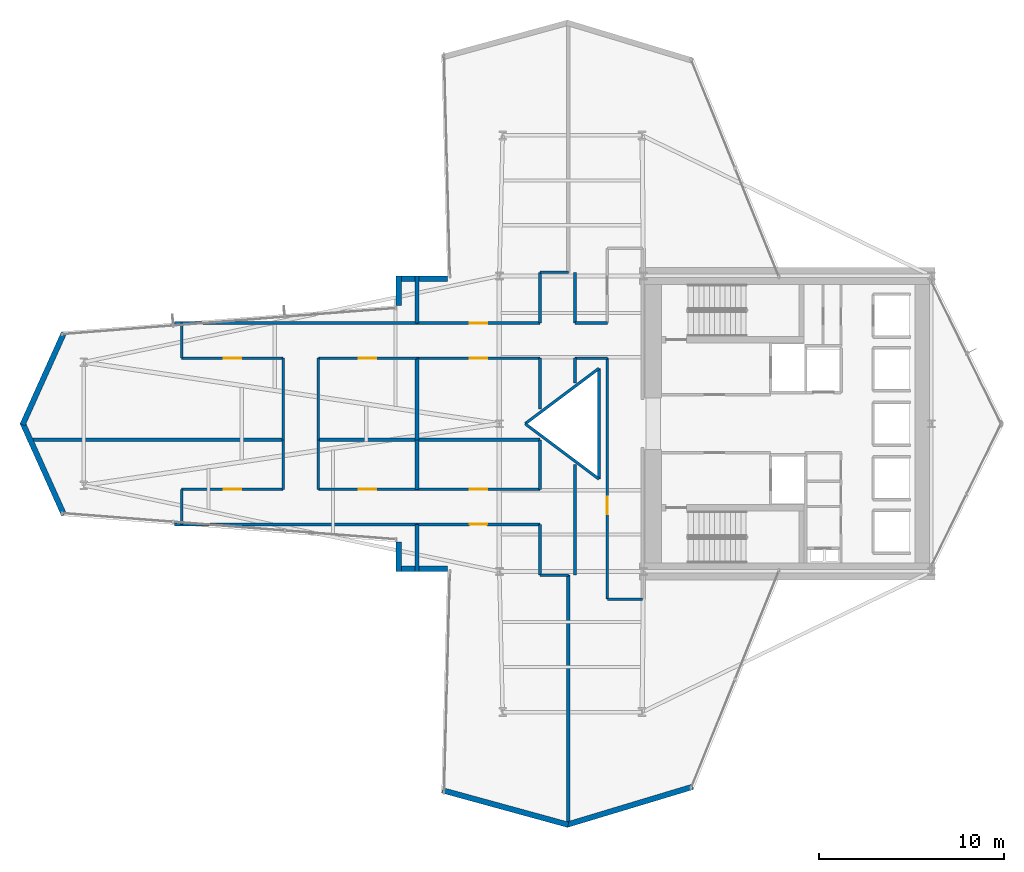
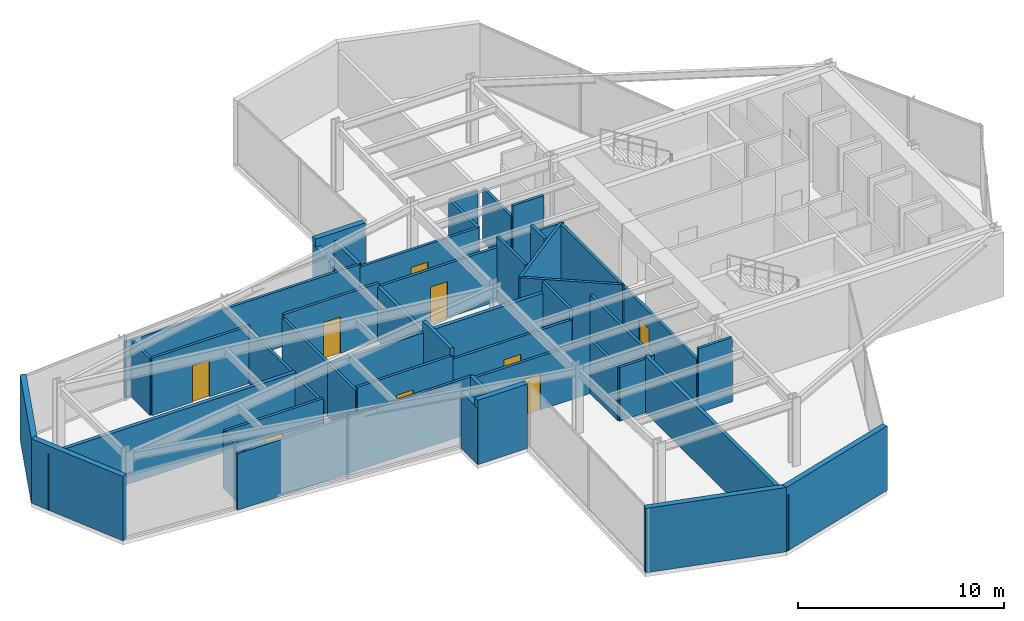
# One storey, part 27 of 30: 48 walls, 9 doors, 9 openings.
"""IFC4 building model written with IfcOpenShell, lengths in metres."""

from ifc_helpers import new_model, si_unit, direction, frame, frame_2d, origin, place, context, subcontext, project, spatial, rectangle, extrude, material, layer, layer_set, type_object, element, fill, save


model = new_model("IFC4")

# Units and contexts
model_context = context("Model", 3, precision=1e-05, world=origin(), true_north=direction((0.0, 1.0)))
body_context = subcontext(model_context, "Body", "Model", "MODEL_VIEW")
ifc_project = project(units=[si_unit("LENGTHUNIT", "METRE"), si_unit("AREAUNIT", "SQUARE_METRE"), si_unit("VOLUMEUNIT", "CUBIC_METRE"), si_unit("PLANEANGLEUNIT", "RADIAN"), si_unit("MASSUNIT", "GRAM", prefix="KILO")], contexts=[model_context])

# Site, building, storey
site_placement = place(None, origin())
site = spatial("IfcSite", under=ifc_project, at=site_placement, CompositionType="ELEMENT")
building_placement = place(site_placement, origin())
building = spatial("IfcBuilding", under=site, at=building_placement, Name="Veymaron Broadcast Tower", CompositionType="ELEMENT")
storey_placement = place(building_placement, frame((0.0, 0.0, 66.14990234375)))
storey = spatial("IfcBuildingStorey", under=building, at=storey_placement, Name="L14", CompositionType="ELEMENT", Elevation=66.14990234375)

# Walls
ifc_material_1 = material(Name="Concrete C40/50", Category="concrete")
ifc_layer_1 = layer(ifc_material_1, 0.199951171875)
ifc_layer_set_1 = layer_set([ifc_layer_1], Name="Concrete C40/50")
wall_type_1 = type_object("IfcWallType", Name="WALL-BLK-200", PredefinedType="SOLIDWALL", material=ifc_layer_set_1)
wall_1_placement = place(storey_placement, frame((34.94091796875, 2.1640625, 0.0), z_axis=(0.0, 0.0, 1.0), x_axis=(0.0, 1.0, 0.0)))
element("IfcWall", 1, at=wall_1_placement, inside=storey, type_object=wall_type_1, Name="L14 partition IW-L14-P34", PredefinedType="SOLIDWALL", context=body_context, shape_type="SweptSolid", body=[
    extrude(rectangle(XDim=13.635986328125, YDim=0.199951171875, at=frame_2d((6.81787109375, 0.0))), origin(), (0.0, 0.0, 1.0), 3.338134765625),
])
wall_2_placement = place(storey_placement, frame((26.738037109375, 16.0, 0.0), z_axis=(0.0, 0.0, 1.0), x_axis=(0.0, 1.0, 0.0)))
element("IfcWall", 2, at=wall_2_placement, inside=storey, type_object=wall_type_1, Name="L14 partition IW-L14-P35", PredefinedType="SOLIDWALL", context=body_context, shape_type="SweptSolid", body=[
    extrude(rectangle(XDim=2.550048828125, YDim=0.199951171875, at=frame_2d((1.27490234375, 0.0))), origin(), (0.0, 0.0, 1.0), 3.338134765625),
])
wall_3_placement = place(storey_placement, frame((5.649658203125, 23.1259765625, 0.0), z_axis=(0.0, 0.0, 1.0), x_axis=(1.0, 0.0, 0.0)))
element("IfcWall", 3, at=wall_3_placement, inside=storey, type_object=wall_type_1, Name="L14 partition IW-L14-P36", PredefinedType="SOLIDWALL", context=body_context, shape_type="SweptSolid", body=[
    extrude(rectangle(XDim=13.850341796875, YDim=0.199951171875, at=frame_2d((6.92529296875, 0.0))), origin(), (0.0, 0.0, 1.0), 3.338134765625),
])
wall_4_placement = place(storey_placement, frame((26.738037109375, 20.449951171875, 0.0), z_axis=(0.0, 0.0, 1.0), x_axis=(0.0, 1.0, 0.0)))
element("IfcWall", 4, at=wall_4_placement, inside=storey, type_object=wall_type_1, Name="L14 partition IW-L14-P37", PredefinedType="SOLIDWALL", context=body_context, shape_type="SweptSolid", body=[
    extrude(rectangle(XDim=2.676025390625, YDim=0.199951171875, at=frame_2d((1.337890625, 0.0))), origin(), (0.0, 0.0, 1.0), 3.81005859375),
])
wall_5_placement = place(storey_placement, frame((21.39990234375, 23.1259765625, 0.0), z_axis=(0.0, 0.0, 1.0), x_axis=(1.0, 0.0, 0.0)))
element("IfcWall", 5, at=wall_5_placement, inside=storey, type_object=wall_type_1, Name="L14 partition IW-L14-P38", PredefinedType="SOLIDWALL", context=body_context, shape_type="SweptSolid", body=[
    extrude(rectangle(XDim=5.338134765625, YDim=0.199951171875, at=frame_2d((2.6689453125, 0.0))), origin(), (0.0, 0.0, 1.0), 3.18115234375),
])
wall_6_placement = place(storey_placement, frame((26.738037109375, 23.1259765625, 0.0), z_axis=(0.0, 0.0, 1.0), x_axis=(1.0, 0.0, 0.0)))
element("IfcWall", 6, at=wall_6_placement, inside=storey, type_object=wall_type_1, Name="L14 partition IW-L14-P39", PredefinedType="SOLIDWALL", context=body_context, shape_type="SweptSolid", body=[
    extrude(rectangle(XDim=6.661865234375, YDim=0.199951171875, at=frame_2d((3.3310546875, 0.0))), origin(), (0.0, 0.0, 1.0), 3.18115234375),
])
wall_7_placement = place(storey_placement, frame((26.738037109375, 23.1259765625, 0.0), z_axis=(0.0, 0.0, 1.0), x_axis=(0.0, 1.0, 0.0)))
element("IfcWall", 7, at=wall_7_placement, inside=storey, type_object=wall_type_1, Name="L14 partition IW-L14-P40", PredefinedType="SOLIDWALL", context=body_context, shape_type="SweptSolid", body=[
    extrude(rectangle(XDim=4.424072265625, YDim=0.199951171875, at=frame_2d((2.2119140625, 0.0))), origin(), (0.0, 0.0, 1.0), 3.18115234375),
])
wall_8_placement = place(storey_placement, frame((26.738037109375, 29.449951171875, 0.0), z_axis=(0.0, 0.0, 1.0), x_axis=(0.0, 1.0, 0.0)))
element("IfcWall", 8, at=wall_8_placement, inside=storey, type_object=wall_type_1, Name="L14 partition IW-L14-P41", PredefinedType="SOLIDWALL", context=body_context, shape_type="SweptSolid", body=[
    extrude(rectangle(XDim=2.550048828125, YDim=0.199951171875, at=frame_2d((1.27490234375, 0.0))), origin(), (0.0, 0.0, 1.0), 3.338134765625),
])
ifc_material_2 = material(Name="Precast concrete C40/50 with mineral-wool insulation", Category="concrete")
ifc_layer_2 = layer(ifc_material_2, 0.300048828125)
ifc_layer_set_2 = layer_set([ifc_layer_2], Name="Precast concrete C40/50 with mineral-wool insulation")
wall_type_2 = type_object("IfcWallType", Name="WALL-EXT-300", PredefinedType="STANDARD", material=ifc_layer_set_2)
wall_9_placement = place(storey_placement, frame((28.386962890625, 31.860107421875, 0.0), z_axis=(0.0, 0.0, 1.0), x_axis=(-1.0, 0.0, 0.0)))
element("IfcWall", 9, at=wall_9_placement, inside=storey, type_object=wall_type_2, Name="L14 notched corner facade pier 9-1", PredefinedType="STANDARD", context=body_context, shape_type="SweptSolid", body=[
    extrude(rectangle(XDim=2.779052734375, YDim=0.300048828125, at=frame_2d((1.3896484375, 0.0))), origin(), (0.0, 0.0, 1.0), 3.81005859375),
])
wall_10_placement = place(storey_placement, frame((25.748046875, 32.0, 0.0), z_axis=(0.0, 0.0, 1.0), x_axis=(0.0, -1.0, 0.0)))
element("IfcWall", 10, at=wall_10_placement, inside=storey, type_object=wall_type_2, Name="L14 notched corner facade pier 10-1", PredefinedType="STANDARD", context=body_context, shape_type="SweptSolid", body=[
    extrude(rectangle(XDim=1.599609375, YDim=0.300048828125, at=frame_2d((0.7998046875, 0.0))), origin(), (0.0, 0.0, 1.0), 3.338134765625),
])
for number, where, z_axis, x_axis, name in (
    (11, (7.627685546875, 28.92578125, 0.0), (0.0, 0.0, 1.0), (-0.410572698698, -0.911827867025, 0.0), "L14 notched corner facade pier 12-1"),
    (12, (5.3837890625, 24.0576171875, 0.0), (0.0, 0.0, 1.0), (0.410572698698, -0.911827867025, 0.0), "L14 notched corner facade pier 13-1"),
):
    element("IfcWall", number, at=place(storey_placement, frame(where, z_axis=z_axis, x_axis=x_axis)), inside=storey, type_object=wall_type_2, Name=name, PredefinedType="STANDARD", context=body_context, shape_type="SweptSolid", body=[
        extrude(rectangle(XDim=5.46533203125, YDim=0.300048828125, at=frame_2d((2.732666015625, 0.0))), origin(), (0.0, 0.0, 1.0), 3.81005859375),
    ])
wall_11_placement = place(storey_placement, frame((25.748046875, 17.599609375, 0.0), z_axis=(0.0, 0.0, 1.0), x_axis=(0.0, -1.0, 0.0)))
element("IfcWall", 13, at=wall_11_placement, inside=storey, type_object=wall_type_2, Name="L14 notched corner facade pier 15-1", PredefinedType="STANDARD", context=body_context, shape_type="SweptSolid", body=[
    extrude(rectangle(XDim=1.599609375, YDim=0.300048828125, at=frame_2d((0.7998046875, 0.0))), origin(), (0.0, 0.0, 1.0), 3.338134765625),
])
wall_12_placement = place(storey_placement, frame((25.60791015625, 16.139892578125, 0.0), z_axis=(0.0, 0.0, 1.0), x_axis=(1.0, 0.0, 0.0)))
element("IfcWall", 14, at=wall_12_placement, inside=storey, type_object=wall_type_2, Name="L14 notched corner facade pier 16-1", PredefinedType="STANDARD", context=body_context, shape_type="SweptSolid", body=[
    extrude(rectangle(XDim=2.779052734375, YDim=0.300048828125, at=frame_2d((1.3896484375, 0.0))), origin(), (0.0, 0.0, 1.0), 3.81005859375),
])
wall_13_placement = place(storey_placement, frame((28.10888671875, 4.154052734375, 0.0), z_axis=(0.0, 0.0, 1.0), x_axis=(0.96439075506, -0.264481514581, 0.0)))
element("IfcWall", 15, at=wall_13_placement, inside=storey, type_object=wall_type_2, Name="L14 notched corner facade pier 18-1", PredefinedType="STANDARD", context=body_context, shape_type="SweptSolid", body=[
    extrude(rectangle(XDim=7.07080078125, YDim=0.300048828125, at=frame_2d((3.535400390625, 0.0))), origin(), (0.0, 0.0, 1.0), 3.81005859375),
])
wall_14_placement = place(storey_placement, frame((34.8505859375, 2.282958984375, 0.0), z_axis=(0.0, 0.0, 1.0), x_axis=(0.957387451844, 0.288806625707, 0.0)))
element("IfcWall", 16, at=wall_14_placement, inside=storey, type_object=wall_type_2, Name="L14 notched corner facade pier 19-1", PredefinedType="STANDARD", context=body_context, shape_type="SweptSolid", body=[
    extrude(rectangle(XDim=7.122802734375, YDim=0.300048828125, at=frame_2d((3.5615234375, 0.0))), origin(), (0.0, 0.0, 1.0), 3.81005859375),
])

# Wall, opening, door
ifc_material_3 = material(Name="Gypsum fireboard and steel stud framing", Category="steel")
ifc_layer_3 = layer(ifc_material_3, 0.14990234375)
ifc_layer_set_3 = layer_set([ifc_layer_3], Name="Gypsum fireboard and steel stud framing")
wall_type_3 = type_object("IfcWallType", Name="WALL-FIRE-150", PredefinedType="PARTITIONING", material=ifc_layer_set_3)
wall_15_placement = place(storey_placement, frame((26.738037109375, 18.550048828125, 0.0), z_axis=(0.0, 0.0, 1.0), x_axis=(1.0, 0.0, 0.0)))
wall_15 = element("IfcWall", 17, at=wall_15_placement, inside=storey, type_object=wall_type_3, Name="L14 partition IW-L14-P01", PredefinedType="PARTITIONING", context=body_context, shape_type="SweptSolid", body=[
    extrude(rectangle(XDim=6.661865234375, YDim=0.14990234375, at=frame_2d((3.3310546875, 0.0))), origin(), (0.0, 0.0, 1.0), 3.18115234375),
])
opening_1_placement = place(wall_15_placement, frame((2.85595703125, 0.0, 0.0)))
opening_1 = element("IfcOpeningElement", 18, at=opening_1_placement, cuts=wall_15, Name="Opening ID-RM1", PredefinedType="OPENING", context=body_context, shape_type="SweptSolid", body=[
    extrude(rectangle(XDim=0.949951171875, YDim=2.14990234375, at=frame_2d((0.47509765625, 1.074951171875))), frame((0.0, 0.0849609375, 0.0), z_axis=(0.0, -1.0, 0.0), x_axis=(1.0, 0.0, 0.0)), (0.0, 0.0, 1.0), 0.169921875),
])
ifc_material_4 = material(Name="Acoustic solid-core European oak veneer timber", Category="wood")
door_type = type_object("IfcDoorType", Name="DOOR-INT-950", OperationType="NOTDEFINED", PredefinedType="DOOR", material=ifc_material_4)
door_1_placement = place(opening_1_placement, frame((0.949951171875, 0.0, 0.0), z_axis=(0.0, 0.0, 1.0), x_axis=(-1.0, 0.0, 0.0)))
door_1 = element("IfcDoor", 19, at=door_1_placement, inside=storey, type_object=door_type, Name="L14 door DR-L14-P01", OperationType="SINGLE_SWING_RIGHT", OverallHeight=2.14990234375, OverallWidth=0.949951171875, PredefinedType="DOOR", context=body_context, shape_type="SweptSolid", body=[
    extrude(rectangle(XDim=0.949951171875, YDim=2.14990234375, at=frame_2d((0.47509765625, 1.074951171875))), frame((0.0, 0.02490234375, 0.0), z_axis=(0.0, -1.0, 0.0), x_axis=(1.0, 0.0, 0.0)), (0.0, 0.0, 1.0), 0.050048828125),
])
fill(opening_1, door_1)

wall_16_placement = place(storey_placement, frame((37.050048828125, 14.5, 0.0), z_axis=(0.0, 0.0, 1.0), x_axis=(0.0, 1.0, 0.0)))
wall_16 = element("IfcWall", 20, at=wall_16_placement, inside=storey, type_object=wall_type_3, Name="L14 partition IW-L14-P04", PredefinedType="PARTITIONING", context=body_context, shape_type="SweptSolid", body=[
    extrude(rectangle(XDim=13.050048828125, YDim=0.14990234375, at=frame_2d((6.52490234375, 0.0))), origin(), (0.0, 0.0, 1.0), 3.18115234375),
])
opening_2_placement = place(wall_16_placement, frame((4.610107421875, 0.0, 0.0)))
opening_2 = element("IfcOpeningElement", 21, at=opening_2_placement, cuts=wall_16, Name="Opening ID-RM1", PredefinedType="OPENING", context=body_context, shape_type="SweptSolid", body=[
    extrude(rectangle(XDim=0.949951171875, YDim=2.14990234375, at=frame_2d((0.47509765625, 1.074951171875))), frame((0.0, 0.0849609375, 0.0), z_axis=(0.0, -1.0, 0.0), x_axis=(1.0, 0.0, 0.0)), (0.0, 0.0, 1.0), 0.169921875),
])
door_2_placement = place(opening_2_placement, frame((0.949951171875, 0.0, 0.0), z_axis=(0.0, 0.0, 1.0), x_axis=(-1.0, 0.0, 0.0)))
door_2 = element("IfcDoor", 22, at=door_2_placement, inside=storey, type_object=door_type, Name="L14 door DR-L14-P04", OperationType="SINGLE_SWING_LEFT", OverallHeight=2.14990234375, OverallWidth=0.949951171875, PredefinedType="DOOR", context=body_context, shape_type="SweptSolid", body=[
    extrude(rectangle(XDim=0.949951171875, YDim=2.14990234375, at=frame_2d((0.47509765625, 1.074951171875))), frame((0.0, 0.02490234375, 0.0), z_axis=(0.0, -1.0, 0.0), x_axis=(1.0, 0.0, 0.0)), (0.0, 0.0, 1.0), 0.050048828125),
])
fill(opening_2, door_2)

wall_17_placement = place(storey_placement, frame((14.0, 20.449951171875, 0.0), z_axis=(0.0, 0.0, 1.0), x_axis=(1.0, 0.0, 0.0)))
wall_17 = element("IfcWall", 23, at=wall_17_placement, inside=storey, type_object=wall_type_3, Name="L14 partition IW-L14-P11", PredefinedType="PARTITIONING", context=body_context, shape_type="SweptSolid", body=[
    extrude(rectangle(XDim=5.5, YDim=0.14990234375, at=frame_2d((2.75, 0.0))), origin(), (0.0, 0.0, 1.0), 3.39111328125),
])
opening_3_placement = place(wall_17_placement, frame((2.27490234375, 0.0, 0.0)))
opening_3 = element("IfcOpeningElement", 24, at=opening_3_placement, cuts=wall_17, Name="Opening ID-RM1", PredefinedType="OPENING", context=body_context, shape_type="SweptSolid", body=[
    extrude(rectangle(XDim=0.949951171875, YDim=2.14990234375, at=frame_2d((0.47509765625, 1.074951171875))), frame((0.0, 0.0849609375, 0.0), z_axis=(0.0, -1.0, 0.0), x_axis=(1.0, 0.0, 0.0)), (0.0, 0.0, 1.0), 0.169921875),
])
door_3_placement = place(opening_3_placement, origin())
door_3 = element("IfcDoor", 25, at=door_3_placement, inside=storey, type_object=door_type, Name="L14 door DR-L14-P11", OperationType="SINGLE_SWING_RIGHT", OverallHeight=2.14990234375, OverallWidth=0.949951171875, PredefinedType="DOOR", context=body_context, shape_type="SweptSolid", body=[
    extrude(rectangle(XDim=0.949951171875, YDim=2.14990234375, at=frame_2d((0.47509765625, 1.074951171875))), frame((0.0, 0.02490234375, 0.0), z_axis=(0.0, -1.0, 0.0), x_axis=(1.0, 0.0, 0.0)), (0.0, 0.0, 1.0), 0.050048828125),
])
fill(opening_3, door_3)

wall_18_placement = place(storey_placement, frame((21.39990234375, 20.449951171875, 0.0), z_axis=(0.0, 0.0, 1.0), x_axis=(1.0, 0.0, 0.0)))
wall_18 = element("IfcWall", 26, at=wall_18_placement, inside=storey, type_object=wall_type_3, Name="L14 partition IW-L14-P14", PredefinedType="PARTITIONING", context=body_context, shape_type="SweptSolid", body=[
    extrude(rectangle(XDim=5.338134765625, YDim=0.14990234375, at=frame_2d((2.6689453125, 0.0))), origin(), (0.0, 0.0, 1.0), 3.39111328125),
])
opening_4_placement = place(wall_18_placement, frame((2.194091796875, 0.0, 0.0)))
opening_4 = element("IfcOpeningElement", 27, at=opening_4_placement, cuts=wall_18, Name="Opening ID-RM1", PredefinedType="OPENING", context=body_context, shape_type="SweptSolid", body=[
    extrude(rectangle(XDim=0.949951171875, YDim=2.14990234375, at=frame_2d((0.47509765625, 1.074951171875))), frame((0.0, 0.0849609375, 0.0), z_axis=(0.0, -1.0, 0.0), x_axis=(1.0, 0.0, 0.0)), (0.0, 0.0, 1.0), 0.169921875),
])
door_4_placement = place(opening_4_placement, origin())
door_4 = element("IfcDoor", 28, at=door_4_placement, inside=storey, type_object=door_type, Name="L14 door DR-L14-P14", OperationType="SINGLE_SWING_LEFT", OverallHeight=2.14990234375, OverallWidth=0.949951171875, PredefinedType="DOOR", context=body_context, shape_type="SweptSolid", body=[
    extrude(rectangle(XDim=0.949951171875, YDim=2.14990234375, at=frame_2d((0.47509765625, 1.074951171875))), frame((0.0, 0.02490234375, 0.0), z_axis=(0.0, -1.0, 0.0), x_axis=(1.0, 0.0, 0.0)), (0.0, 0.0, 1.0), 0.050048828125),
])
fill(opening_4, door_4)

wall_19_placement = place(storey_placement, frame((26.738037109375, 20.449951171875, 0.0), z_axis=(0.0, 0.0, 1.0), x_axis=(1.0, 0.0, 0.0)))
wall_19 = element("IfcWall", 29, at=wall_19_placement, inside=storey, type_object=wall_type_3, Name="L14 partition IW-L14-P16", PredefinedType="PARTITIONING", context=body_context, shape_type="SweptSolid", body=[
    extrude(rectangle(XDim=6.661865234375, YDim=0.14990234375, at=frame_2d((3.3310546875, 0.0))), origin(), (0.0, 0.0, 1.0), 3.18115234375),
])
opening_5_placement = place(wall_19_placement, frame((2.85595703125, 0.0, 0.0)))
opening_5 = element("IfcOpeningElement", 30, at=opening_5_placement, cuts=wall_19, Name="Opening ID-RM1", PredefinedType="OPENING", context=body_context, shape_type="SweptSolid", body=[
    extrude(rectangle(XDim=0.949951171875, YDim=2.14990234375, at=frame_2d((0.47509765625, 1.074951171875))), frame((0.0, 0.0849609375, 0.0), z_axis=(0.0, -1.0, 0.0), x_axis=(1.0, 0.0, 0.0)), (0.0, 0.0, 1.0), 0.169921875),
])
door_5_placement = place(opening_5_placement, origin())
door_5 = element("IfcDoor", 31, at=door_5_placement, inside=storey, type_object=door_type, Name="L14 door DR-L14-P16", OperationType="SINGLE_SWING_LEFT", OverallHeight=2.14990234375, OverallWidth=0.949951171875, PredefinedType="DOOR", context=body_context, shape_type="SweptSolid", body=[
    extrude(rectangle(XDim=0.949951171875, YDim=2.14990234375, at=frame_2d((0.47509765625, 1.074951171875))), frame((0.0, 0.02490234375, 0.0), z_axis=(0.0, -1.0, 0.0), x_axis=(1.0, 0.0, 0.0)), (0.0, 0.0, 1.0), 0.050048828125),
])
fill(opening_5, door_5)

wall_20_placement = place(storey_placement, frame((21.39990234375, 27.550048828125, 0.0), z_axis=(0.0, 0.0, 1.0), x_axis=(1.0, 0.0, 0.0)))
wall_20 = element("IfcWall", 32, at=wall_20_placement, inside=storey, type_object=wall_type_3, Name="L14 partition IW-L14-P18", PredefinedType="PARTITIONING", context=body_context, shape_type="SweptSolid", body=[
    extrude(rectangle(XDim=5.338134765625, YDim=0.14990234375, at=frame_2d((2.6689453125, 0.0))), origin(), (0.0, 0.0, 1.0), 3.39111328125),
])
opening_6_placement = place(wall_20_placement, frame((2.194091796875, 0.0, 0.0)))
opening_6 = element("IfcOpeningElement", 33, at=opening_6_placement, cuts=wall_20, Name="Opening ID-RM1", PredefinedType="OPENING", context=body_context, shape_type="SweptSolid", body=[
    extrude(rectangle(XDim=0.949951171875, YDim=2.14990234375, at=frame_2d((0.47509765625, 1.074951171875))), frame((0.0, 0.0849609375, 0.0), z_axis=(0.0, -1.0, 0.0), x_axis=(1.0, 0.0, 0.0)), (0.0, 0.0, 1.0), 0.169921875),
])
door_6_placement = place(opening_6_placement, frame((0.949951171875, 0.0, 0.0), z_axis=(0.0, 0.0, 1.0), x_axis=(-1.0, 0.0, 0.0)))
door_6 = element("IfcDoor", 34, at=door_6_placement, inside=storey, type_object=door_type, Name="L14 door DR-L14-P18", OperationType="SINGLE_SWING_LEFT", OverallHeight=2.14990234375, OverallWidth=0.949951171875, PredefinedType="DOOR", context=body_context, shape_type="SweptSolid", body=[
    extrude(rectangle(XDim=0.949951171875, YDim=2.14990234375, at=frame_2d((0.47509765625, 1.074951171875))), frame((0.0, 0.02490234375, 0.0), z_axis=(0.0, -1.0, 0.0), x_axis=(1.0, 0.0, 0.0)), (0.0, 0.0, 1.0), 0.050048828125),
])
fill(opening_6, door_6)

wall_21_placement = place(storey_placement, frame((26.738037109375, 27.550048828125, 0.0), z_axis=(0.0, 0.0, 1.0), x_axis=(1.0, 0.0, 0.0)))
wall_21 = element("IfcWall", 35, at=wall_21_placement, inside=storey, type_object=wall_type_3, Name="L14 partition IW-L14-P20", PredefinedType="PARTITIONING", context=body_context, shape_type="SweptSolid", body=[
    extrude(rectangle(XDim=6.661865234375, YDim=0.14990234375, at=frame_2d((3.3310546875, 0.0))), origin(), (0.0, 0.0, 1.0), 3.18115234375),
])
opening_7_placement = place(wall_21_placement, frame((2.85595703125, 0.0, 0.0)))
opening_7 = element("IfcOpeningElement", 36, at=opening_7_placement, cuts=wall_21, Name="Opening ID-RM1", PredefinedType="OPENING", context=body_context, shape_type="SweptSolid", body=[
    extrude(rectangle(XDim=0.949951171875, YDim=2.14990234375, at=frame_2d((0.47509765625, 1.074951171875))), frame((0.0, 0.0849609375, 0.0), z_axis=(0.0, -1.0, 0.0), x_axis=(1.0, 0.0, 0.0)), (0.0, 0.0, 1.0), 0.169921875),
])
door_7_placement = place(opening_7_placement, frame((0.949951171875, 0.0, 0.0), z_axis=(0.0, 0.0, 1.0), x_axis=(-1.0, 0.0, 0.0)))
door_7 = element("IfcDoor", 37, at=door_7_placement, inside=storey, type_object=door_type, Name="L14 door DR-L14-P20", OperationType="SINGLE_SWING_LEFT", OverallHeight=2.14990234375, OverallWidth=0.949951171875, PredefinedType="DOOR", context=body_context, shape_type="SweptSolid", body=[
    extrude(rectangle(XDim=0.949951171875, YDim=2.14990234375, at=frame_2d((0.47509765625, 1.074951171875))), frame((0.0, 0.02490234375, 0.0), z_axis=(0.0, -1.0, 0.0), x_axis=(1.0, 0.0, 0.0)), (0.0, 0.0, 1.0), 0.050048828125),
])
fill(opening_7, door_7)

wall_22_placement = place(storey_placement, frame((14.0, 27.550048828125, 0.0), z_axis=(0.0, 0.0, 1.0), x_axis=(1.0, 0.0, 0.0)))
wall_22 = element("IfcWall", 38, at=wall_22_placement, inside=storey, type_object=wall_type_3, Name="L14 partition IW-L14-P23", PredefinedType="PARTITIONING", context=body_context, shape_type="SweptSolid", body=[
    extrude(rectangle(XDim=5.5, YDim=0.14990234375, at=frame_2d((2.75, 0.0))), origin(), (0.0, 0.0, 1.0), 3.39111328125),
])
opening_8_placement = place(wall_22_placement, frame((2.27490234375, 0.0, 0.0)))
opening_8 = element("IfcOpeningElement", 39, at=opening_8_placement, cuts=wall_22, Name="Opening ID-RM1", PredefinedType="OPENING", context=body_context, shape_type="SweptSolid", body=[
    extrude(rectangle(XDim=0.949951171875, YDim=2.14990234375, at=frame_2d((0.47509765625, 1.074951171875))), frame((0.0, 0.0849609375, 0.0), z_axis=(0.0, -1.0, 0.0), x_axis=(1.0, 0.0, 0.0)), (0.0, 0.0, 1.0), 0.169921875),
])
door_8_placement = place(opening_8_placement, frame((0.949951171875, 0.0, 0.0), z_axis=(0.0, 0.0, 1.0), x_axis=(-1.0, 0.0, 0.0)))
door_8 = element("IfcDoor", 40, at=door_8_placement, inside=storey, type_object=door_type, Name="L14 door DR-L14-P23", OperationType="SINGLE_SWING_RIGHT", OverallHeight=2.14990234375, OverallWidth=0.949951171875, PredefinedType="DOOR", context=body_context, shape_type="SweptSolid", body=[
    extrude(rectangle(XDim=0.949951171875, YDim=2.14990234375, at=frame_2d((0.47509765625, 1.074951171875))), frame((0.0, 0.02490234375, 0.0), z_axis=(0.0, -1.0, 0.0), x_axis=(1.0, 0.0, 0.0)), (0.0, 0.0, 1.0), 0.050048828125),
])
fill(opening_8, door_8)

wall_23_placement = place(storey_placement, frame((26.738037109375, 29.449951171875, 0.0), z_axis=(0.0, 0.0, 1.0), x_axis=(1.0, 0.0, 0.0)))
wall_23 = element("IfcWall", 41, at=wall_23_placement, inside=storey, type_object=wall_type_3, Name="L14 partition IW-L14-P26", PredefinedType="PARTITIONING", context=body_context, shape_type="SweptSolid", body=[
    extrude(rectangle(XDim=6.661865234375, YDim=0.14990234375, at=frame_2d((3.3310546875, 0.0))), origin(), (0.0, 0.0, 1.0), 3.18115234375),
])
opening_9_placement = place(wall_23_placement, frame((2.85595703125, 0.0, 0.0)))
opening_9 = element("IfcOpeningElement", 42, at=opening_9_placement, cuts=wall_23, Name="Opening ID-RM1", PredefinedType="OPENING", context=body_context, shape_type="SweptSolid", body=[
    extrude(rectangle(XDim=0.949951171875, YDim=2.14990234375, at=frame_2d((0.47509765625, 1.074951171875))), frame((0.0, 0.0849609375, 0.0), z_axis=(0.0, -1.0, 0.0), x_axis=(1.0, 0.0, 0.0)), (0.0, 0.0, 1.0), 0.169921875),
])
door_9_placement = place(opening_9_placement, origin())
door_9 = element("IfcDoor", 43, at=door_9_placement, inside=storey, type_object=door_type, Name="L14 door DR-L14-P26", OperationType="SINGLE_SWING_LEFT", OverallHeight=2.14990234375, OverallWidth=0.949951171875, PredefinedType="DOOR", context=body_context, shape_type="SweptSolid", body=[
    extrude(rectangle(XDim=0.949951171875, YDim=2.14990234375, at=frame_2d((0.47509765625, 1.074951171875))), frame((0.0, 0.02490234375, 0.0), z_axis=(0.0, -1.0, 0.0), x_axis=(1.0, 0.0, 0.0)), (0.0, 0.0, 1.0), 0.050048828125),
])
fill(opening_9, door_9)

# Walls
wall_24_placement = place(storey_placement, frame((33.39990234375, 15.800048828125, 0.0), z_axis=(0.0, 0.0, 1.0), x_axis=(0.0, 1.0, 0.0)))
element("IfcWall", 44, at=wall_24_placement, inside=storey, type_object=wall_type_3, Name="L14 partition IW-L14-P02", PredefinedType="PARTITIONING", context=body_context, shape_type="SweptSolid", body=[
    extrude(rectangle(XDim=2.75, YDim=0.14990234375, at=frame_2d((1.375, 0.0))), origin(), (0.0, 0.0, 1.0), 3.18115234375),
])
wall_25_placement = place(storey_placement, frame((33.39990234375, 15.800048828125, 0.0), z_axis=(0.0, 0.0, 1.0), x_axis=(1.0, 0.0, 0.0)))
element("IfcWall", 45, at=wall_25_placement, inside=storey, type_object=wall_type_3, Name="L14 partition IW-L14-P03", PredefinedType="PARTITIONING", context=body_context, shape_type="SweptSolid", body=[
    extrude(rectangle(XDim=1.541015625, YDim=0.14990234375, at=frame_2d((0.7705078125, 0.0))), origin(), (0.0, 0.0, 1.0), 3.18115234375),
])
wall_26_placement = place(storey_placement, frame((35.300048828125, 15.800048828125, 0.0), z_axis=(0.0, 0.0, 1.0), x_axis=(0.0, 1.0, 0.0)))
element("IfcWall", 46, at=wall_26_placement, inside=storey, type_object=wall_type_3, Name="L14 partition IW-L14-P06", PredefinedType="PARTITIONING", context=body_context, shape_type="SweptSolid", body=[
    extrude(rectangle(XDim=5.987548828125, YDim=0.14990234375, at=frame_2d((2.99365234375, 0.0))), origin(), (0.0, 0.0, 1.0), 3.18115234375),
])
wall_27_placement = place(storey_placement, frame((37.050048828125, 14.5, 0.0), z_axis=(0.0, 0.0, 1.0), x_axis=(1.0, 0.0, 0.0)))
element("IfcWall", 47, at=wall_27_placement, inside=storey, type_object=wall_type_3, Name="L14 partition IW-L14-P07", PredefinedType="PARTITIONING", context=body_context, shape_type="SweptSolid", body=[
    extrude(rectangle(XDim=1.89990234375, YDim=0.14990234375, at=frame_2d((0.949951171875, 0.0))), origin(), (0.0, 0.0, 1.0), 3.81005859375),
])
wall_28_placement = place(storey_placement, frame((35.300048828125, 27.550048828125, 0.0), z_axis=(0.0, 0.0, 1.0), x_axis=(1.0, 0.0, 0.0)))
element("IfcWall", 48, at=wall_28_placement, inside=storey, type_object=wall_type_3, Name="L14 partition IW-L14-P08", PredefinedType="PARTITIONING", context=body_context, shape_type="SweptSolid", body=[
    extrude(rectangle(XDim=1.75, YDim=0.14990234375, at=frame_2d((0.875, 0.0))), origin(), (0.0, 0.0, 1.0), 3.39111328125),
])
wall_29_placement = place(storey_placement, frame((35.300048828125, 26.21240234375, 0.0), z_axis=(0.0, 0.0, 1.0), x_axis=(0.0, 1.0, 0.0)))
element("IfcWall", 49, at=wall_29_placement, inside=storey, type_object=wall_type_3, Name="L14 partition IW-L14-P09", PredefinedType="PARTITIONING", context=body_context, shape_type="SweptSolid", body=[
    extrude(rectangle(XDim=1.337646484375, YDim=0.14990234375, at=frame_2d((0.6689453125, 0.0))), origin(), (0.0, 0.0, 1.0), 3.81005859375),
])
wall_30_placement = place(storey_placement, frame((13.603515625, 18.550048828125, 0.0), z_axis=(0.0, 0.0, 1.0), x_axis=(1.0, 0.0, 0.0)))
element("IfcWall", 50, at=wall_30_placement, inside=storey, type_object=wall_type_3, Name="L14 partition IW-L14-P10", PredefinedType="PARTITIONING", context=body_context, shape_type="SweptSolid", body=[
    extrude(rectangle(XDim=13.134521484375, YDim=0.14990234375, at=frame_2d((6.5673828125, 0.0))), origin(), (0.0, 0.0, 1.0), 3.338134765625),
])
wall_31_placement = place(storey_placement, frame((19.5, 20.449951171875, 0.0), z_axis=(0.0, 0.0, 1.0), x_axis=(0.0, 1.0, 0.0)))
element("IfcWall", 51, at=wall_31_placement, inside=storey, type_object=wall_type_3, Name="L14 partition IW-L14-P12", PredefinedType="PARTITIONING", context=body_context, shape_type="SweptSolid", body=[
    extrude(rectangle(XDim=2.676025390625, YDim=0.14990234375, at=frame_2d((1.337890625, 0.0))), origin(), (0.0, 0.0, 1.0), 3.18115234375),
])
wall_32_placement = place(storey_placement, frame((14.0, 18.550048828125, 0.0), z_axis=(0.0, 0.0, 1.0), x_axis=(0.0, 1.0, 0.0)))
element("IfcWall", 52, at=wall_32_placement, inside=storey, type_object=wall_type_3, Name="L14 partition IW-L14-P13", PredefinedType="PARTITIONING", context=body_context, shape_type="SweptSolid", body=[
    extrude(rectangle(XDim=1.89990234375, YDim=0.14990234375, at=frame_2d((0.949951171875, 0.0))), origin(), (0.0, 0.0, 1.0), 3.338134765625),
])
wall_33_placement = place(storey_placement, frame((21.39990234375, 20.449951171875, 0.0), z_axis=(0.0, 0.0, 1.0), x_axis=(0.0, 1.0, 0.0)))
element("IfcWall", 53, at=wall_33_placement, inside=storey, type_object=wall_type_3, Name="L14 partition IW-L14-P15", PredefinedType="PARTITIONING", context=body_context, shape_type="SweptSolid", body=[
    extrude(rectangle(XDim=2.676025390625, YDim=0.14990234375, at=frame_2d((1.337890625, 0.0))), origin(), (0.0, 0.0, 1.0), 3.18115234375),
])
wall_34_placement = place(storey_placement, frame((33.39990234375, 20.449951171875, 0.0), z_axis=(0.0, 0.0, 1.0), x_axis=(0.0, 1.0, 0.0)))
element("IfcWall", 54, at=wall_34_placement, inside=storey, type_object=wall_type_3, Name="L14 partition IW-L14-P17", PredefinedType="PARTITIONING", context=body_context, shape_type="SweptSolid", body=[
    extrude(rectangle(XDim=2.676025390625, YDim=0.14990234375, at=frame_2d((1.337890625, 0.0))), origin(), (0.0, 0.0, 1.0), 3.81005859375),
])
wall_35_placement = place(storey_placement, frame((21.39990234375, 23.1259765625, 0.0), z_axis=(0.0, 0.0, 1.0), x_axis=(0.0, 1.0, 0.0)))
element("IfcWall", 55, at=wall_35_placement, inside=storey, type_object=wall_type_3, Name="L14 partition IW-L14-P19", PredefinedType="PARTITIONING", context=body_context, shape_type="SweptSolid", body=[
    extrude(rectangle(XDim=4.424072265625, YDim=0.14990234375, at=frame_2d((2.2119140625, 0.0))), origin(), (0.0, 0.0, 1.0), 3.18115234375),
])
wall_36_placement = place(storey_placement, frame((33.39990234375, 24.78759765625, 0.0), z_axis=(0.0, 0.0, 1.0), x_axis=(0.0, 1.0, 0.0)))
element("IfcWall", 56, at=wall_36_placement, inside=storey, type_object=wall_type_3, Name="L14 partition IW-L14-P21", PredefinedType="PARTITIONING", context=body_context, shape_type="SweptSolid", body=[
    extrude(rectangle(XDim=2.762451171875, YDim=0.14990234375, at=frame_2d((1.38134765625, 0.0))), origin(), (0.0, 0.0, 1.0), 3.81005859375),
])
wall_37_placement = place(storey_placement, frame((13.603515625, 29.449951171875, 0.0), z_axis=(0.0, 0.0, 1.0), x_axis=(1.0, 0.0, 0.0)))
element("IfcWall", 57, at=wall_37_placement, inside=storey, type_object=wall_type_3, Name="L14 partition IW-L14-P22", PredefinedType="PARTITIONING", context=body_context, shape_type="SweptSolid", body=[
    extrude(rectangle(XDim=13.134521484375, YDim=0.14990234375, at=frame_2d((6.5673828125, 0.0))), origin(), (0.0, 0.0, 1.0), 3.338134765625),
])
wall_38_placement = place(storey_placement, frame((19.5, 23.1259765625, 0.0), z_axis=(0.0, 0.0, 1.0), x_axis=(0.0, 1.0, 0.0)))
element("IfcWall", 58, at=wall_38_placement, inside=storey, type_object=wall_type_3, Name="L14 partition IW-L14-P24", PredefinedType="PARTITIONING", context=body_context, shape_type="SweptSolid", body=[
    extrude(rectangle(XDim=4.424072265625, YDim=0.14990234375, at=frame_2d((2.2119140625, 0.0))), origin(), (0.0, 0.0, 1.0), 3.18115234375),
])
wall_39_placement = place(storey_placement, frame((14.0, 27.550048828125, 0.0), z_axis=(0.0, 0.0, 1.0), x_axis=(0.0, 1.0, 0.0)))
element("IfcWall", 59, at=wall_39_placement, inside=storey, type_object=wall_type_3, Name="L14 partition IW-L14-P25", PredefinedType="PARTITIONING", context=body_context, shape_type="SweptSolid", body=[
    extrude(rectangle(XDim=1.89990234375, YDim=0.14990234375, at=frame_2d((0.949951171875, 0.0))), origin(), (0.0, 0.0, 1.0), 3.338134765625),
])
wall_40_placement = place(storey_placement, frame((33.39990234375, 29.449951171875, 0.0), z_axis=(0.0, 0.0, 1.0), x_axis=(0.0, 1.0, 0.0)))
element("IfcWall", 60, at=wall_40_placement, inside=storey, type_object=wall_type_3, Name="L14 partition IW-L14-P27", PredefinedType="PARTITIONING", context=body_context, shape_type="SweptSolid", body=[
    extrude(rectangle(XDim=2.75, YDim=0.14990234375, at=frame_2d((1.375, 0.0))), origin(), (0.0, 0.0, 1.0), 3.18115234375),
])
wall_41_placement = place(storey_placement, frame((33.39990234375, 32.199951171875, 0.0), z_axis=(0.0, 0.0, 1.0), x_axis=(1.0, 0.0, 0.0)))
element("IfcWall", 61, at=wall_41_placement, inside=storey, type_object=wall_type_3, Name="L14 partition IW-L14-P28", PredefinedType="PARTITIONING", context=body_context, shape_type="SweptSolid", body=[
    extrude(rectangle(XDim=1.541015625, YDim=0.14990234375, at=frame_2d((0.7705078125, 0.0))), origin(), (0.0, 0.0, 1.0), 3.18115234375),
])
wall_42_placement = place(storey_placement, frame((35.300048828125, 29.449951171875, 0.0), z_axis=(0.0, 0.0, 1.0), x_axis=(0.0, 1.0, 0.0)))
element("IfcWall", 62, at=wall_42_placement, inside=storey, type_object=wall_type_3, Name="L14 partition IW-L14-P31", PredefinedType="PARTITIONING", context=body_context, shape_type="SweptSolid", body=[
    extrude(rectangle(XDim=2.75, YDim=0.14990234375, at=frame_2d((1.375, 0.0))), origin(), (0.0, 0.0, 1.0), 3.18115234375),
])
wall_43_placement = place(storey_placement, frame((35.300048828125, 29.449951171875, 0.0), z_axis=(0.0, 0.0, 1.0), x_axis=(1.0, 0.0, 0.0)))
element("IfcWall", 63, at=wall_43_placement, inside=storey, type_object=wall_type_3, Name="L14 partition IW-L14-P33", PredefinedType="PARTITIONING", context=body_context, shape_type="SweptSolid", body=[
    extrude(rectangle(XDim=1.75, YDim=0.14990234375, at=frame_2d((0.875, 0.0))), origin(), (0.0, 0.0, 1.0), 3.81005859375),
])
ifc_material_5 = material(Name="Fire-rated laminated glass in aluminium frame", Category="aluminium")
ifc_layer_4 = layer(ifc_material_5, 0.14990234375)
ifc_layer_set_4 = layer_set([ifc_layer_4], Name="Fire-rated laminated glass in aluminium frame")
wall_type_4 = type_object("IfcWallType", Name="WALL-GLZ-150", PredefinedType="MOVABLE", material=ifc_layer_set_4)
wall_44_placement = place(storey_placement, frame((32.60009765625, 24.0, 0.0), z_axis=(0.0, 0.0, 1.0), x_axis=(0.8, -0.6, 0.0)))
element("IfcWall", 64, at=wall_44_placement, inside=storey, type_object=wall_type_4, Name="L14 partition IW-L14-ATR1", PredefinedType="MOVABLE", context=body_context, shape_type="SweptSolid", body=[
    extrude(rectangle(XDim=5.0, YDim=0.14990234375, at=frame_2d((2.5, 0.0))), origin(), (0.0, 0.0, 1.0), 3.81005859375),
])
wall_45_placement = place(storey_placement, frame((36.60009765625, 21.0, 0.0), z_axis=(0.0, 0.0, 1.0), x_axis=(0.0, 1.0, 0.0)))
element("IfcWall", 65, at=wall_45_placement, inside=storey, type_object=wall_type_4, Name="L14 partition IW-L14-ATR2", PredefinedType="MOVABLE", context=body_context, shape_type="SweptSolid", body=[
    extrude(rectangle(XDim=6.0, YDim=0.14990234375, at=frame_2d((3.0, 0.0))), origin(), (0.0, 0.0, 1.0), 3.81005859375),
])
wall_46_placement = place(storey_placement, frame((36.60009765625, 27.0, 0.0), z_axis=(0.0, 0.0, 1.0), x_axis=(-0.8, -0.6, 0.0)))
element("IfcWall", 66, at=wall_46_placement, inside=storey, type_object=wall_type_4, Name="L14 partition IW-L14-ATR3", PredefinedType="MOVABLE", context=body_context, shape_type="SweptSolid", body=[
    extrude(rectangle(XDim=5.0, YDim=0.14990234375, at=frame_2d((2.5, 0.0))), origin(), (0.0, 0.0, 1.0), 3.81005859375),
])

save(model, "model.ifc")
